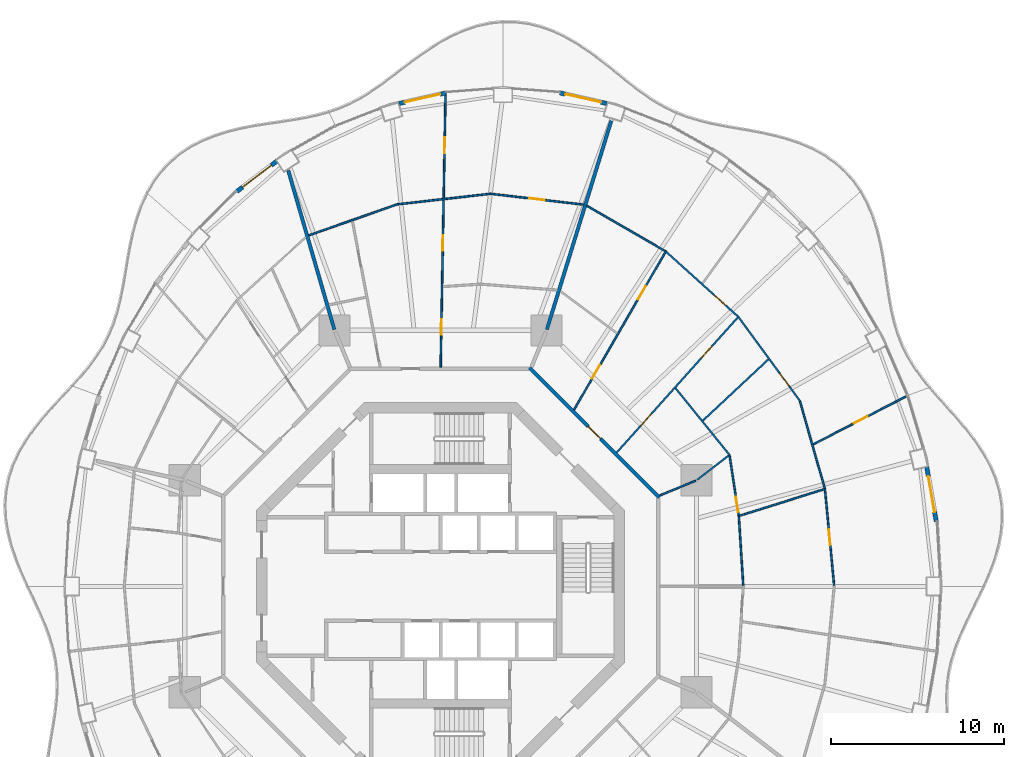
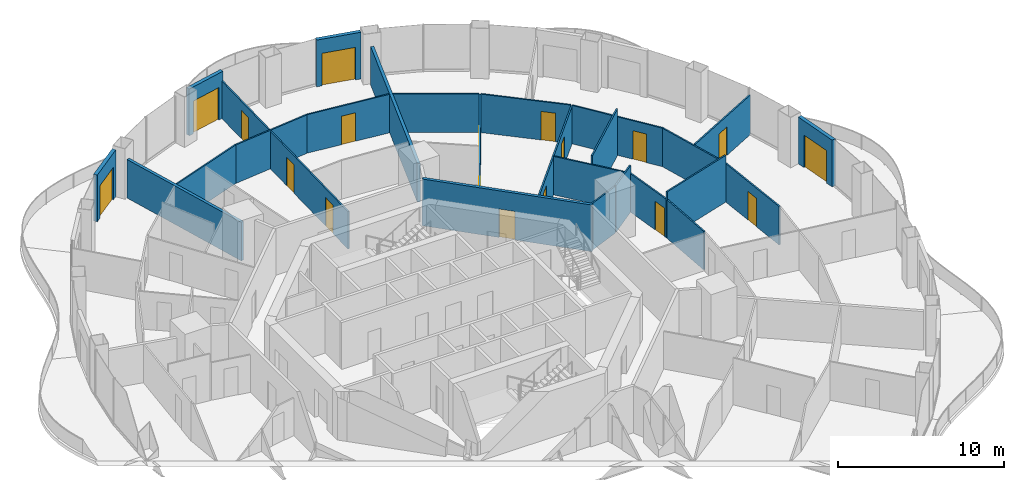
# One storey, part 15 of 19: 26 walls, 18 doors, 18 openings.
"""IFC4 building model written with IfcOpenShell, lengths in metres."""

from ifc_helpers import new_model, si_unit, direction, frame, frame_2d, origin, place, context, subcontext, project, spatial, rectangle, extrude, material, layer, layer_set, type_object, element, fill, save


model = new_model("IFC4")

# Units and contexts
model_context = context("Model", 3, precision=1e-05, world=origin(), true_north=direction((0.0, 1.0)))
body_context = subcontext(model_context, "Body", "Model", "MODEL_VIEW")
ifc_project = project(units=[si_unit("LENGTHUNIT", "METRE"), si_unit("AREAUNIT", "SQUARE_METRE"), si_unit("VOLUMEUNIT", "CUBIC_METRE"), si_unit("PLANEANGLEUNIT", "RADIAN"), si_unit("MASSUNIT", "GRAM", prefix="KILO")], contexts=[model_context])

# Site, building, storey
site_placement = place(None, origin())
site = spatial("IfcSite", under=ifc_project, at=site_placement, CompositionType="ELEMENT")
building_placement = place(site_placement, origin())
building = spatial("IfcBuilding", under=site, at=building_placement, Name="Nagisa Residences", CompositionType="ELEMENT")
storey_placement = place(building_placement, frame((0.0, 0.0, 188.10009765625)))
storey = spatial("IfcBuildingStorey", under=building, at=storey_placement, Name="L47", CompositionType="ELEMENT", Elevation=188.10009765625)

# Walls
ifc_material_1 = material(Name="Gypsum board on steel studs", Category="steel")
ifc_layer_1 = layer(ifc_material_1, 0.199951171875)
ifc_layer_set_1 = layer_set([ifc_layer_1], Name="Apartment compartment wall EI60 200")
wall_type_1 = type_object("IfcWallType", Name="Apartment compartment wall EI60 200", PredefinedType="PARTITIONING", material=ifc_layer_set_1)
wall_1_placement = place(storey_placement, frame((6.1376953125, 14.829833984375, 0.0), z_axis=(0.0, 0.0, 1.0), x_axis=(0.294818517221, 0.955553264818, 0.0)))
element("IfcWall", 1, at=wall_1_placement, inside=storey, type_object=wall_type_1, Name="wall:L47:u01", PredefinedType="PARTITIONING", context=body_context, shape_type="SweptSolid", body=[
    extrude(rectangle(XDim=12.619384765625, YDim=0.199951171875, at=frame_2d((6.3095703125, 0.0))), origin(), (0.0, 0.0, 1.0), 2.8369140625),
])
wall_2_placement = place(storey_placement, frame((-6.136962890625, 14.830078125, 0.0), z_axis=(0.0, 0.0, 1.0), x_axis=(-0.278461169897, 0.96044748782, 0.0)))
element("IfcWall", 2, at=wall_2_placement, inside=storey, type_object=wall_type_1, Name="wall:L47:u03", PredefinedType="PARTITIONING", context=body_context, shape_type="SweptSolid", body=[
    extrude(rectangle(XDim=9.5732421875, YDim=0.199951171875, at=frame_2d((4.78662109375, 0.0))), origin(), (0.0, 0.0, 1.0), 2.8369140625),
])

# Wall, opening, door
ifc_material_2 = material(Name="Gypsum board on steel studs", Category="steel")
ifc_layer_2 = layer(ifc_material_2, 0.199951171875)
ifc_layer_set_2 = layer_set([ifc_layer_2], Name="Apartment entry wall EI60 200")
wall_type_2 = type_object("IfcWallType", Name="Apartment entry wall EI60 200", PredefinedType="PARTITIONING", material=ifc_layer_set_2)
wall_3_placement = place(storey_placement, frame((12.635498046875, 5.1337890625, 0.0), z_axis=(0.0, 0.0, 1.0), x_axis=(-0.707106781187, 0.707106781187, 0.0)))
wall_3 = element("IfcWall", 3, at=wall_3_placement, inside=storey, type_object=wall_type_2, Name="wall:L47:u11", PredefinedType="PARTITIONING", context=body_context, shape_type="SweptSolid", body=[
    extrude(rectangle(XDim=10.609130859375, YDim=0.199951171875, at=frame_2d((5.3046875, 0.0))), origin(), (0.0, 0.0, 1.0), 3.43994140625),
])
opening_1_placement = place(wall_3_placement, frame((4.804443359375, 0.0, 0.0)))
opening_1 = element("IfcOpeningElement", 4, at=opening_1_placement, cuts=wall_3, Name="Opening L47-U33", PredefinedType="OPENING", context=body_context, shape_type="SweptSolid", body=[
    extrude(rectangle(XDim=1.0, YDim=2.10009765625, at=frame_2d((0.5, 1.050048828125))), frame((0.0, 0.10986328125, 0.0), z_axis=(0.0, -1.0, 0.0), x_axis=(1.0, 0.0, 0.0)), (0.0, 0.0, 1.0), 0.219970703125),
])
ifc_material_3 = material(Name="Timber fire door set", Category="wood")
door_type_1 = type_object("IfcDoorType", Name="Apartment entry door FD30S 1000x2100", OperationType="NOTDEFINED", PredefinedType="DOOR", material=ifc_material_3)
door_1_placement = place(opening_1_placement, frame((1.0, 0.0, 0.0), x_axis=(-1.0, 0.0, 0.0)))
door_1 = element("IfcDoor", 5, at=door_1_placement, inside=storey, type_object=door_type_1, Name="Entry door, Apartment 47D", OperationType="SINGLE_SWING_RIGHT", OverallHeight=2.10009765625, OverallWidth=1.0, PredefinedType="DOOR", context=body_context, shape_type="SweptSolid", body=[
    extrude(rectangle(XDim=1.0, YDim=2.10009765625, at=frame_2d((0.5, 1.050048828125))), frame((0.0, 0.02490234375, 0.0), z_axis=(0.0, -1.0, 0.0), x_axis=(1.0, 0.0, 0.0)), (0.0, 0.0, 1.0), 0.050048828125),
])
fill(opening_1, door_1)

# Wall
ifc_material_4 = material(Name="Gypsum board on steel studs", Category="steel")
ifc_layer_3 = layer(ifc_material_4, 0.10009765625)
ifc_layer_set_3 = layer_set([ifc_layer_3], Name="Apartment partition 100")
wall_type_3 = type_object("IfcWallType", Name="Apartment partition 100", PredefinedType="PARTITIONING", material=ifc_layer_set_3)
wall_4_placement = place(storey_placement, frame((17.484619140625, 0.0498046875, 0.0), z_axis=(0.0, 0.0, 1.0), x_axis=(-0.063679314345, 0.99797041285, 0.0)))
element("IfcWall", 6, at=wall_4_placement, inside=storey, type_object=wall_type_3, Name="wall:L47:u19", PredefinedType="PARTITIONING", context=body_context, shape_type="SweptSolid", body=[
    extrude(rectangle(XDim=3.971923828125, YDim=0.10009765625, at=frame_2d((1.98583984375, 0.0))), origin(), (0.0, 0.0, 1.0), 2.8369140625),
])

# Wall, opening, door
wall_5_placement = place(storey_placement, frame((22.734375, 0.0498046875, 0.0), z_axis=(0.0, 0.0, 1.0), x_axis=(-0.0949274088, 0.995484197292, 0.0)))
wall_5 = element("IfcWall", 7, at=wall_5_placement, inside=storey, type_object=wall_type_3, Name="wall:L47:u21", PredefinedType="PARTITIONING", context=body_context, shape_type="SweptSolid", body=[
    extrude(rectangle(XDim=5.647705078125, YDim=0.10009765625, at=frame_2d((2.82373046875, 0.0))), origin(), (0.0, 0.0, 1.0), 2.8369140625),
])
opening_2_placement = place(wall_5_placement, frame((2.348876953125, 0.0, 0.0)))
opening_2 = element("IfcOpeningElement", 8, at=opening_2_placement, cuts=wall_5, Name="Opening L47-U43", PredefinedType="OPENING", context=body_context, shape_type="SweptSolid", body=[
    extrude(rectangle(XDim=0.89990234375, YDim=2.10009765625, at=frame_2d((0.449951171875, 1.050048828125))), frame((0.0, 0.06005859375, 0.0), z_axis=(0.0, -1.0, 0.0), x_axis=(1.0, 0.0, 0.0)), (0.0, 0.0, 1.0), 0.1201171875),
])
ifc_material_5 = material(Name="Timber door set", Category="wood")
door_type_2 = type_object("IfcDoorType", Name="Apartment door 900x2100", OperationType="NOTDEFINED", PredefinedType="DOOR", material=ifc_material_5)
door_2_placement = place(opening_2_placement, origin())
door_2 = element("IfcDoor", 9, at=door_2_placement, inside=storey, type_object=door_type_2, Name="Door to study, Apartment 47D", OperationType="SINGLE_SWING_LEFT", OverallHeight=2.10009765625, OverallWidth=0.89990234375, PredefinedType="DOOR", context=body_context, shape_type="SweptSolid", body=[
    extrude(rectangle(XDim=0.89990234375, YDim=2.10009765625, at=frame_2d((0.449951171875, 1.050048828125))), frame((0.0, 0.02490234375, 0.0), z_axis=(0.0, -1.0, 0.0), x_axis=(1.0, 0.0, 0.0)), (0.0, 0.0, 1.0), 0.050048828125),
])
fill(opening_2, door_2)

# Wall
wall_6_placement = place(storey_placement, frame((17.1806640625, 4.048583984375, 0.0), z_axis=(0.0, 0.0, 1.0), x_axis=(0.954246359918, 0.299021545351, 0.0)))
element("IfcWall", 10, at=wall_6_placement, inside=storey, type_object=wall_type_3, Name="wall:L47:u23", PredefinedType="PARTITIONING", context=body_context, shape_type="SweptSolid", body=[
    extrude(rectangle(XDim=5.213134765625, YDim=0.10009765625, at=frame_2d((2.6064453125, 0.0))), origin(), (0.0, 0.0, 1.0), 3.43994140625),
])

# Wall, opening, door
wall_7_placement = place(storey_placement, frame((17.220947265625, 4.113037109375, 0.0), z_axis=(0.0, 0.0, 1.0), x_axis=(-0.151078880423, 0.988521710379, 0.0)))
wall_7 = element("IfcWall", 11, at=wall_7_placement, inside=storey, type_object=wall_type_3, Name="wall:L47:u24", PredefinedType="PARTITIONING", context=body_context, shape_type="SweptSolid", body=[
    extrude(rectangle(XDim=3.469482421875, YDim=0.10009765625, at=frame_2d((1.73486328125, 0.0))), origin(), (0.0, 0.0, 1.0), 2.8369140625),
])
opening_3_placement = place(wall_7_placement, frame((0.179931640625, 0.0, 0.0)))
opening_3 = element("IfcOpeningElement", 12, at=opening_3_placement, cuts=wall_7, Name="Opening L47-U42", PredefinedType="OPENING", context=body_context, shape_type="SweptSolid", body=[
    extrude(rectangle(XDim=0.89990234375, YDim=2.10009765625, at=frame_2d((0.449951171875, 1.050048828125))), frame((0.0, 0.06005859375, 0.0), z_axis=(0.0, -1.0, 0.0), x_axis=(1.0, 0.0, 0.0)), (0.0, 0.0, 1.0), 0.1201171875),
])
door_3_placement = place(opening_3_placement, origin())
door_3 = element("IfcDoor", 13, at=door_3_placement, inside=storey, type_object=door_type_2, Name="Door to store, Apartment 47D", OperationType="SINGLE_SWING_RIGHT", OverallHeight=2.10009765625, OverallWidth=0.89990234375, PredefinedType="DOOR", context=body_context, shape_type="SweptSolid", body=[
    extrude(rectangle(XDim=0.89990234375, YDim=2.10009765625, at=frame_2d((0.449951171875, 1.050048828125))), frame((0.0, 0.02490234375, 0.0), z_axis=(0.0, -1.0, 0.0), x_axis=(1.0, 0.0, 0.0)), (0.0, 0.0, 1.0), 0.050048828125),
])
fill(opening_3, door_3)

# Wall
wall_8_placement = place(storey_placement, frame((22.189453125, 5.67041015625, 0.0), z_axis=(0.0, 0.0, 1.0), x_axis=(-0.273815967041, 0.961782104322, 0.0)))
element("IfcWall", 14, at=wall_8_placement, inside=storey, type_object=wall_type_3, Name="wall:L47:u25", PredefinedType="PARTITIONING", context=body_context, shape_type="SweptSolid", body=[
    extrude(rectangle(XDim=5.20166015625, YDim=0.10009765625, at=frame_2d((2.600830078125, 0.0))), origin(), (0.0, 0.0, 1.0), 2.8369140625),
])

# Wall, opening, door
wall_9_placement = place(storey_placement, frame((21.521728515625, 8.19482421875, 0.0), z_axis=(0.0, 0.0, 1.0), x_axis=(0.888281046031, 0.459300319249, 0.0)))
wall_9 = element("IfcWall", 15, at=wall_9_placement, inside=storey, type_object=wall_type_3, Name="wall:L47:u26", PredefinedType="PARTITIONING", context=body_context, shape_type="SweptSolid", body=[
    extrude(rectangle(XDim=6.176025390625, YDim=0.10009765625, at=frame_2d((3.087890625, 0.0))), origin(), (0.0, 0.0, 1.0), 2.90478515625),
])
opening_4_placement = place(wall_9_placement, frame((2.63818359375, 0.0, 0.0)))
opening_4 = element("IfcOpeningElement", 16, at=opening_4_placement, cuts=wall_9, Name="Opening L47-U41", PredefinedType="OPENING", context=body_context, shape_type="SweptSolid", body=[
    extrude(rectangle(XDim=0.89990234375, YDim=2.10009765625, at=frame_2d((0.449951171875, 1.050048828125))), frame((0.0, 0.06005859375, 0.0), z_axis=(0.0, -1.0, 0.0), x_axis=(1.0, 0.0, 0.0)), (0.0, 0.0, 1.0), 0.1201171875),
])
door_4_placement = place(opening_4_placement, frame((0.89990234375, 0.0, 0.0), x_axis=(-1.0, 0.0, 0.0)))
door_4 = element("IfcDoor", 17, at=door_4_placement, inside=storey, type_object=door_type_2, Name="Door to family room, Apartment 47D", OperationType="SINGLE_SWING_RIGHT", OverallHeight=2.10009765625, OverallWidth=0.89990234375, PredefinedType="DOOR", context=body_context, shape_type="SweptSolid", body=[
    extrude(rectangle(XDim=0.89990234375, YDim=2.10009765625, at=frame_2d((0.449951171875, 1.050048828125))), frame((0.0, 0.02490234375, 0.0), z_axis=(0.0, -1.0, 0.0), x_axis=(1.0, 0.0, 0.0)), (0.0, 0.0, 1.0), 0.050048828125),
])
fill(opening_4, door_4)

# Walls
wall_10_placement = place(storey_placement, frame((12.6572265625, 5.24267578125, 0.0), z_axis=(0.0, 0.0, 1.0), x_axis=(0.923826362943, 0.382811769845, 0.0)))
element("IfcWall", 18, at=wall_10_placement, inside=storey, type_object=wall_type_3, Name="wall:L47:u27", PredefinedType="PARTITIONING", context=body_context, shape_type="SweptSolid", body=[
    extrude(rectangle(XDim=2.25, YDim=0.10009765625, at=frame_2d((1.125, 0.0))), origin(), (0.0, 0.0, 1.0), 3.43994140625),
])
wall_11_placement = place(storey_placement, frame((14.82177734375, 6.153564453125, 0.0), z_axis=(0.0, 0.0, 1.0), x_axis=(0.792226528082, 0.610227111987, 0.0)))
element("IfcWall", 19, at=wall_11_placement, inside=storey, type_object=wall_type_3, Name="wall:L47:u28", PredefinedType="PARTITIONING", context=body_context, shape_type="SweptSolid", body=[
    extrude(rectangle(XDim=2.307373046875, YDim=0.10009765625, at=frame_2d((1.15380859375, 0.0))), origin(), (0.0, 0.0, 1.0), 3.43994140625),
])
wall_12_placement = place(storey_placement, frame((16.720703125, 7.55322265625, 0.0), z_axis=(0.0, 0.0, 1.0), x_axis=(-0.628753513808, 0.777604667472, 0.0)))
element("IfcWall", 20, at=wall_12_placement, inside=storey, type_object=wall_type_3, Name="wall:L47:u29", PredefinedType="PARTITIONING", context=body_context, shape_type="SweptSolid", body=[
    extrude(rectangle(XDim=5.00732421875, YDim=0.10009765625, at=frame_2d((2.503662109375, 0.0))), origin(), (0.0, 0.0, 1.0), 2.8369140625),
])

# Wall, opening, door
wall_13_placement = place(storey_placement, frame((20.781005859375, 10.68115234375, 0.0), z_axis=(0.0, 0.0, 1.0), x_axis=(-0.591117075283, 0.806585769345, 0.0)))
wall_13 = element("IfcWall", 21, at=wall_13_placement, inside=storey, type_object=wall_type_3, Name="wall:L47:u30", PredefinedType="PARTITIONING", context=body_context, shape_type="SweptSolid", body=[
    extrude(rectangle(XDim=6.009765625, YDim=0.10009765625, at=frame_2d((3.0048828125, 0.0))), origin(), (0.0, 0.0, 1.0), 2.8369140625),
])
opening_5_placement = place(wall_13_placement, frame((1.1025390625, 0.0, 0.0)))
opening_5 = element("IfcOpeningElement", 22, at=opening_5_placement, cuts=wall_13, Name="Opening L47-U40", PredefinedType="OPENING", context=body_context, shape_type="SweptSolid", body=[
    extrude(rectangle(XDim=0.89990234375, YDim=2.10009765625, at=frame_2d((0.449951171875, 1.050048828125))), frame((0.0, 0.06005859375, 0.0), z_axis=(0.0, -1.0, 0.0), x_axis=(1.0, 0.0, 0.0)), (0.0, 0.0, 1.0), 0.1201171875),
])
door_5_placement = place(opening_5_placement, origin())
door_5 = element("IfcDoor", 23, at=door_5_placement, inside=storey, type_object=door_type_2, Name="Door to kitchen, Apartment 47D", OperationType="SINGLE_SWING_RIGHT", OverallHeight=2.10009765625, OverallWidth=0.89990234375, PredefinedType="DOOR", context=body_context, shape_type="SweptSolid", body=[
    extrude(rectangle(XDim=0.89990234375, YDim=2.10009765625, at=frame_2d((0.449951171875, 1.050048828125))), frame((0.0, 0.02490234375, 0.0), z_axis=(0.0, -1.0, 0.0), x_axis=(1.0, 0.0, 0.0)), (0.0, 0.0, 1.0), 0.050048828125),
])
fill(opening_5, door_5)

# Wall
wall_14_placement = place(storey_placement, frame((15.151611328125, 9.572998046875, 0.0), z_axis=(0.0, 0.0, 1.0), x_axis=(0.730723083214, 0.682673989294, 0.0)))
element("IfcWall", 24, at=wall_14_placement, inside=storey, type_object=wall_type_3, Name="wall:L47:u31", PredefinedType="PARTITIONING", context=body_context, shape_type="SweptSolid", body=[
    extrude(rectangle(XDim=5.1826171875, YDim=0.10009765625, at=frame_2d((2.59130859375, 0.0))), origin(), (0.0, 0.0, 1.0), 3.43994140625),
])

# Wall, openings, doors
wall_15_placement = place(storey_placement, frame((10.177978515625, 7.732421875, 0.0), z_axis=(0.0, 0.0, 1.0), x_axis=(0.667280084362, 0.744806880348, 0.0)))
wall_15 = element("IfcWall", 25, at=wall_15_placement, inside=storey, type_object=wall_type_3, Name="wall:L47:u32", PredefinedType="PARTITIONING", context=body_context, shape_type="SweptSolid", body=[
    extrude(rectangle(XDim=10.571533203125, YDim=0.10009765625, at=frame_2d((5.28564453125, 0.0))), origin(), (0.0, 0.0, 1.0), 2.755859375),
])
opening_6_placement = place(wall_15_placement, frame((2.069580078125, 0.0, 0.0)))
opening_6 = element("IfcOpeningElement", 26, at=opening_6_placement, cuts=wall_15, Name="Opening L47-U34", PredefinedType="OPENING", context=body_context, shape_type="SweptSolid", body=[
    extrude(rectangle(XDim=0.89990234375, YDim=2.10009765625, at=frame_2d((0.449951171875, 1.050048828125))), frame((0.0, 0.06005859375, 0.0), z_axis=(0.0, -1.0, 0.0), x_axis=(1.0, 0.0, 0.0)), (0.0, 0.0, 1.0), 0.1201171875),
])
opening_7_placement = place(wall_15_placement, frame((7.33056640625, 0.0, 0.0)))
opening_7 = element("IfcOpeningElement", 27, at=opening_7_placement, cuts=wall_15, Name="Opening L47-U36", PredefinedType="OPENING", context=body_context, shape_type="SweptSolid", body=[
    extrude(rectangle(XDim=0.89990234375, YDim=2.10009765625, at=frame_2d((0.449951171875, 1.050048828125))), frame((0.0, 0.06005859375, 0.0), z_axis=(0.0, -1.0, 0.0), x_axis=(1.0, 0.0, 0.0)), (0.0, 0.0, 1.0), 0.1201171875),
])
door_6_placement = place(opening_6_placement, frame((0.89990234375, 0.0, 0.0), x_axis=(-1.0, 0.0, 0.0)))
door_6 = element("IfcDoor", 28, at=door_6_placement, inside=storey, type_object=door_type_2, Name="Door to family bathroom, Apartment 47D", OperationType="SINGLE_SWING_LEFT", OverallHeight=2.10009765625, OverallWidth=0.89990234375, PredefinedType="DOOR", context=body_context, shape_type="SweptSolid", body=[
    extrude(rectangle(XDim=0.89990234375, YDim=2.10009765625, at=frame_2d((0.449951171875, 1.050048828125))), frame((0.0, 0.02490234375, 0.0), z_axis=(0.0, -1.0, 0.0), x_axis=(1.0, 0.0, 0.0)), (0.0, 0.0, 1.0), 0.050048828125),
])
fill(opening_6, door_6)
door_7_placement = place(opening_7_placement, frame((0.89990234375, 0.0, 0.0), x_axis=(-1.0, 0.0, 0.0)))
door_7 = element("IfcDoor", 29, at=door_7_placement, inside=storey, type_object=door_type_2, Name="Door to family bathroom, Apartment 47D", OperationType="SINGLE_SWING_LEFT", OverallHeight=2.10009765625, OverallWidth=0.89990234375, PredefinedType="DOOR", context=body_context, shape_type="SweptSolid", body=[
    extrude(rectangle(XDim=0.89990234375, YDim=2.10009765625, at=frame_2d((0.449951171875, 1.050048828125))), frame((0.0, 0.02490234375, 0.0), z_axis=(0.0, -1.0, 0.0), x_axis=(1.0, 0.0, 0.0)), (0.0, 0.0, 1.0), 0.050048828125),
])
fill(opening_7, door_7)

# Wall, opening, door
wall_16_placement = place(storey_placement, frame((17.16162109375, 15.6025390625, 0.0), z_axis=(0.0, 0.0, 1.0), x_axis=(-0.742790086539, 0.66952437397, 0.0)))
wall_16 = element("IfcWall", 30, at=wall_16_placement, inside=storey, type_object=wall_type_3, Name="wall:L47:u33", PredefinedType="PARTITIONING", context=body_context, shape_type="SweptSolid", body=[
    extrude(rectangle(XDim=5.54150390625, YDim=0.10009765625, at=frame_2d((2.770751953125, 0.0))), origin(), (0.0, 0.0, 1.0), 2.8369140625),
])
opening_8_placement = place(wall_16_placement, frame((0.935302734375, 0.0, 0.0)))
opening_8 = element("IfcOpeningElement", 31, at=opening_8_placement, cuts=wall_16, Name="Opening L47-U38", PredefinedType="OPENING", context=body_context, shape_type="SweptSolid", body=[
    extrude(rectangle(XDim=0.89990234375, YDim=2.10009765625, at=frame_2d((0.449951171875, 1.050048828125))), frame((0.0, 0.06005859375, 0.0), z_axis=(0.0, -1.0, 0.0), x_axis=(1.0, 0.0, 0.0)), (0.0, 0.0, 1.0), 0.1201171875),
])
door_8_placement = place(opening_8_placement, frame((0.89990234375, 0.0, 0.0), x_axis=(-1.0, 0.0, 0.0)))
door_8 = element("IfcDoor", 32, at=door_8_placement, inside=storey, type_object=door_type_2, Name="Door to living room, Apartment 47D", OperationType="SINGLE_SWING_LEFT", OverallHeight=2.10009765625, OverallWidth=0.89990234375, PredefinedType="DOOR", context=body_context, shape_type="SweptSolid", body=[
    extrude(rectangle(XDim=0.89990234375, YDim=2.10009765625, at=frame_2d((0.449951171875, 1.050048828125))), frame((0.0, 0.02490234375, 0.0), z_axis=(0.0, -1.0, 0.0), x_axis=(1.0, 0.0, 0.0)), (0.0, 0.0, 1.0), 0.050048828125),
])
fill(opening_8, door_8)

# Wall, openings, doors
wall_17_placement = place(storey_placement, frame((7.7080078125, 10.19775390625, 0.0), z_axis=(0.0, 0.0, 1.0), x_axis=(0.501288100085, 0.865280440501, 0.0)))
wall_17 = element("IfcWall", 33, at=wall_17_placement, inside=storey, type_object=wall_type_3, Name="wall:L47:u35", PredefinedType="PARTITIONING", context=body_context, shape_type="SweptSolid", body=[
    extrude(rectangle(XDim=10.623046875, YDim=0.10009765625, at=frame_2d((5.3115234375, 0.0))), origin(), (0.0, 0.0, 1.0), 2.755859375),
])
opening_9_placement = place(wall_17_placement, frame((2.082275390625, 0.0, 0.0)))
opening_9 = element("IfcOpeningElement", 34, at=opening_9_placement, cuts=wall_17, Name="Opening L47-U35", PredefinedType="OPENING", context=body_context, shape_type="SweptSolid", body=[
    extrude(rectangle(XDim=0.89990234375, YDim=2.10009765625, at=frame_2d((0.449951171875, 1.050048828125))), frame((0.0, 0.06005859375, 0.0), z_axis=(0.0, -1.0, 0.0), x_axis=(1.0, 0.0, 0.0)), (0.0, 0.0, 1.0), 0.1201171875),
])
opening_10_placement = place(wall_17_placement, frame((7.36865234375, 0.0, 0.0)))
opening_10 = element("IfcOpeningElement", 35, at=opening_10_placement, cuts=wall_17, Name="Opening L47-U37", PredefinedType="OPENING", context=body_context, shape_type="SweptSolid", body=[
    extrude(rectangle(XDim=0.89990234375, YDim=2.10009765625, at=frame_2d((0.449951171875, 1.050048828125))), frame((0.0, 0.06005859375, 0.0), z_axis=(0.0, -1.0, 0.0), x_axis=(1.0, 0.0, 0.0)), (0.0, 0.0, 1.0), 0.1201171875),
])
door_9_placement = place(opening_9_placement, origin())
door_9 = element("IfcDoor", 36, at=door_9_placement, inside=storey, type_object=door_type_2, Name="Door to laundry, Apartment 47D", OperationType="SINGLE_SWING_LEFT", OverallHeight=2.10009765625, OverallWidth=0.89990234375, PredefinedType="DOOR", context=body_context, shape_type="SweptSolid", body=[
    extrude(rectangle(XDim=0.89990234375, YDim=2.10009765625, at=frame_2d((0.449951171875, 1.050048828125))), frame((0.0, 0.02490234375, 0.0), z_axis=(0.0, -1.0, 0.0), x_axis=(1.0, 0.0, 0.0)), (0.0, 0.0, 1.0), 0.050048828125),
])
fill(opening_9, door_9)
door_10_placement = place(opening_10_placement, origin())
door_10 = element("IfcDoor", 37, at=door_10_placement, inside=storey, type_object=door_type_2, Name="Door to kitchen, Apartment 47D", OperationType="SINGLE_SWING_LEFT", OverallHeight=2.10009765625, OverallWidth=0.89990234375, PredefinedType="DOOR", context=body_context, shape_type="SweptSolid", body=[
    extrude(rectangle(XDim=0.89990234375, YDim=2.10009765625, at=frame_2d((0.449951171875, 1.050048828125))), frame((0.0, 0.02490234375, 0.0), z_axis=(0.0, -1.0, 0.0), x_axis=(1.0, 0.0, 0.0)), (0.0, 0.0, 1.0), 0.050048828125),
])
fill(opening_10, door_10)

# Wall
wall_18_placement = place(storey_placement, frame((12.965087890625, 19.371337890625, 0.0), z_axis=(0.0, 0.0, 1.0), x_axis=(-0.865286427811, 0.501277765163, 0.0)))
element("IfcWall", 38, at=wall_18_placement, inside=storey, type_object=wall_type_3, Name="wall:L47:u37", PredefinedType="PARTITIONING", context=body_context, shape_type="SweptSolid", body=[
    extrude(rectangle(XDim=5.219970703125, YDim=0.10009765625, at=frame_2d((2.60986328125, 0.0))), origin(), (0.0, 0.0, 1.0), 2.8369140625),
])

# Wall, opening, door
wall_19_placement = place(storey_placement, frame((8.262451171875, 22.0498046875, 0.0), z_axis=(0.0, 0.0, 1.0), x_axis=(-0.993250089265, 0.115992500516, 0.0)))
wall_19 = element("IfcWall", 39, at=wall_19_placement, inside=storey, type_object=wall_type_3, Name="wall:L47:u39", PredefinedType="PARTITIONING", context=body_context, shape_type="SweptSolid", body=[
    extrude(rectangle(XDim=5.457763671875, YDim=0.10009765625, at=frame_2d((2.72900390625, 0.0))), origin(), (0.0, 0.0, 1.0), 2.8369140625),
])
opening_11_placement = place(wall_19_placement, frame((2.25390625, 0.0, 0.0)))
opening_11 = element("IfcOpeningElement", 40, at=opening_11_placement, cuts=wall_19, Name="Opening L47-U52", PredefinedType="OPENING", context=body_context, shape_type="SweptSolid", body=[
    extrude(rectangle(XDim=0.89990234375, YDim=2.10009765625, at=frame_2d((0.449951171875, 1.050048828125))), frame((0.0, 0.06005859375, 0.0), z_axis=(0.0, -1.0, 0.0), x_axis=(1.0, 0.0, 0.0)), (0.0, 0.0, 1.0), 0.1201171875),
])
door_11_placement = place(opening_11_placement, frame((0.89990234375, 0.0, 0.0), x_axis=(-1.0, 0.0, 0.0)))
door_11 = element("IfcDoor", 41, at=door_11_placement, inside=storey, type_object=door_type_2, Name="Door to family room, Apartment 47E", OperationType="SINGLE_SWING_LEFT", OverallHeight=2.10009765625, OverallWidth=0.89990234375, PredefinedType="DOOR", context=body_context, shape_type="SweptSolid", body=[
    extrude(rectangle(XDim=0.89990234375, YDim=2.10009765625, at=frame_2d((0.449951171875, 1.050048828125))), frame((0.0, 0.02490234375, 0.0), z_axis=(0.0, -1.0, 0.0), x_axis=(1.0, 0.0, 0.0)), (0.0, 0.0, 1.0), 0.050048828125),
])
fill(opening_11, door_11)

# Wall
wall_20_placement = place(storey_placement, frame((2.841552734375, 22.67138671875, 0.0), z_axis=(0.0, 0.0, 1.0), x_axis=(-0.993660315081, -0.112424099879, 0.0)))
element("IfcWall", 42, at=wall_20_placement, inside=storey, type_object=wall_type_3, Name="wall:L47:u41", PredefinedType="PARTITIONING", context=body_context, shape_type="SweptSolid", body=[
    extrude(rectangle(XDim=5.32470703125, YDim=0.10009765625, at=frame_2d((2.662353515625, 0.0))), origin(), (0.0, 0.0, 1.0), 2.8369140625),
])

# Wall, openings, doors
wall_21_placement = place(storey_placement, frame((0.001708984375, 12.664794921875, 0.0), z_axis=(0.0, 0.0, 1.0), x_axis=(0.01792079652, 0.999839409631, 0.0)))
wall_21 = element("IfcWall", 43, at=wall_21_placement, inside=storey, type_object=wall_type_3, Name="wall:L47:u42", PredefinedType="PARTITIONING", context=body_context, shape_type="SweptSolid", body=[
    extrude(rectangle(XDim=15.925537109375, YDim=0.10009765625, at=frame_2d((7.962890625, 0.0))), origin(), (0.0, 0.0, 1.0), 2.755859375),
])
opening_12_placement = place(wall_21_placement, frame((1.873291015625, 0.0, 0.0)))
opening_12 = element("IfcOpeningElement", 44, at=opening_12_placement, cuts=wall_21, Name="Opening L47-U48", PredefinedType="OPENING", context=body_context, shape_type="SweptSolid", body=[
    extrude(rectangle(XDim=0.89990234375, YDim=2.10009765625, at=frame_2d((0.449951171875, 1.050048828125))), frame((0.0, 0.06005859375, 0.0), z_axis=(0.0, -1.0, 0.0), x_axis=(1.0, 0.0, 0.0)), (0.0, 0.0, 1.0), 0.1201171875),
])
opening_13_placement = place(wall_21_placement, frame((6.727783203125, 0.0, 0.0)))
opening_13 = element("IfcOpeningElement", 45, at=opening_13_placement, cuts=wall_21, Name="Opening L47-U50", PredefinedType="OPENING", context=body_context, shape_type="SweptSolid", body=[
    extrude(rectangle(XDim=0.89990234375, YDim=2.10009765625, at=frame_2d((0.449951171875, 1.050048828125))), frame((0.0, 0.06005859375, 0.0), z_axis=(0.0, -1.0, 0.0), x_axis=(1.0, 0.0, 0.0)), (0.0, 0.0, 1.0), 0.1201171875),
])
opening_14_placement = place(wall_21_placement, frame((12.367431640625, 0.0, 0.0)))
opening_14 = element("IfcOpeningElement", 46, at=opening_14_placement, cuts=wall_21, Name="Opening L47-U53", PredefinedType="OPENING", context=body_context, shape_type="SweptSolid", body=[
    extrude(rectangle(XDim=0.89990234375, YDim=2.10009765625, at=frame_2d((0.449951171875, 1.050048828125))), frame((0.0, 0.06005859375, 0.0), z_axis=(0.0, -1.0, 0.0), x_axis=(1.0, 0.0, 0.0)), (0.0, 0.0, 1.0), 0.1201171875),
])
door_12_placement = place(opening_12_placement, frame((0.89990234375, 0.0, 0.0), x_axis=(-1.0, 0.0, 0.0)))
door_12 = element("IfcDoor", 47, at=door_12_placement, inside=storey, type_object=door_type_2, Name="Door to store, Apartment 47E", OperationType="SINGLE_SWING_LEFT", OverallHeight=2.10009765625, OverallWidth=0.89990234375, PredefinedType="DOOR", context=body_context, shape_type="SweptSolid", body=[
    extrude(rectangle(XDim=0.89990234375, YDim=2.10009765625, at=frame_2d((0.449951171875, 1.050048828125))), frame((0.0, 0.02490234375, 0.0), z_axis=(0.0, -1.0, 0.0), x_axis=(1.0, 0.0, 0.0)), (0.0, 0.0, 1.0), 0.050048828125),
])
fill(opening_12, door_12)
door_13_placement = place(opening_13_placement, frame((0.89990234375, 0.0, 0.0), x_axis=(-1.0, 0.0, 0.0)))
door_13 = element("IfcDoor", 48, at=door_13_placement, inside=storey, type_object=door_type_2, Name="Door to kitchen, Apartment 47E", OperationType="SINGLE_SWING_LEFT", OverallHeight=2.10009765625, OverallWidth=0.89990234375, PredefinedType="DOOR", context=body_context, shape_type="SweptSolid", body=[
    extrude(rectangle(XDim=0.89990234375, YDim=2.10009765625, at=frame_2d((0.449951171875, 1.050048828125))), frame((0.0, 0.02490234375, 0.0), z_axis=(0.0, -1.0, 0.0), x_axis=(1.0, 0.0, 0.0)), (0.0, 0.0, 1.0), 0.050048828125),
])
fill(opening_13, door_13)
door_14_placement = place(opening_14_placement, origin())
door_14 = element("IfcDoor", 49, at=door_14_placement, inside=storey, type_object=door_type_2, Name="Door to master bedroom, Apartment 47E", OperationType="SINGLE_SWING_LEFT", OverallHeight=2.10009765625, OverallWidth=0.89990234375, PredefinedType="DOOR", context=body_context, shape_type="SweptSolid", body=[
    extrude(rectangle(XDim=0.89990234375, YDim=2.10009765625, at=frame_2d((0.449951171875, 1.050048828125))), frame((0.0, 0.02490234375, 0.0), z_axis=(0.0, -1.0, 0.0), x_axis=(1.0, 0.0, 0.0)), (0.0, 0.0, 1.0), 0.050048828125),
])
fill(opening_14, door_14)

# Wall
wall_22_placement = place(storey_placement, frame((-2.451904296875, 22.08349609375, 0.0), z_axis=(0.0, 0.0, 1.0), x_axis=(-0.943918212431, -0.330179357684, 0.0)))
element("IfcWall", 50, at=wall_22_placement, inside=storey, type_object=wall_type_3, Name="wall:L47:u43", PredefinedType="PARTITIONING", context=body_context, shape_type="SweptSolid", body=[
    extrude(rectangle(XDim=5.46728515625, YDim=0.10009765625, at=frame_2d((2.733642578125, 0.0))), origin(), (0.0, 0.0, 1.0), 2.8369140625),
])

# Wall, opening, door
ifc_material_6 = material(Name="Precast concrete C40/50", Category="concrete")
ifc_layer_4 = layer(ifc_material_6, 0.25)
ifc_layer_set_4 = layer_set([ifc_layer_4], Name="BALCONY DOOR WALL 250")
wall_type_4 = type_object("IfcWallType", Name="BALCONY DOOR WALL 250", PredefinedType="SOLIDWALL", material=ifc_layer_set_4)
wall_23_placement = place(storey_placement, frame((28.08203125, 6.91015625, 0.0), z_axis=(0.0, 0.0, 1.0), x_axis=(0.172149769468, -0.985070787747, 0.0)))
wall_23 = element("IfcWall", 51, at=wall_23_placement, inside=storey, type_object=wall_type_4, Name="wall:L47:bay01", PredefinedType="SOLIDWALL", context=body_context, shape_type="SweptSolid", body=[
    extrude(rectangle(XDim=3.210693359375, YDim=0.25, at=frame_2d((1.60546875, 0.0))), origin(), (0.0, 0.0, 1.0), 3.43994140625),
])
opening_15_placement = place(wall_23_placement, frame((0.555419921875, 0.0, 0.0)))
opening_15 = element("IfcOpeningElement", 52, at=opening_15_placement, cuts=wall_23, Name="Opening BD-L47-01", PredefinedType="OPENING", context=body_context, shape_type="SweptSolid", body=[
    extrude(rectangle(XDim=2.10009765625, YDim=2.39990234375, at=frame_2d((1.050048828125, 1.199951171875))), frame((0.0, 0.135009765625, 0.0), z_axis=(0.0, -1.0, 0.0), x_axis=(1.0, 0.0, 0.0)), (0.0, 0.0, 1.0), 0.27001953125),
])
ifc_material_7 = material(Name="Aluminium and clear glass", Category="aluminium")
door_type_3 = type_object("IfcDoorType", Name="BALCONY SLIDING DOOR 2100x2400", OperationType="SLIDING_TO_LEFT", PredefinedType="DOOR", material=ifc_material_7)
door_15_placement = place(opening_15_placement, origin())
door_15 = element("IfcDoor", 53, at=door_15_placement, inside=storey, type_object=door_type_3, Name="door:L47:bay01", OperationType="SLIDING_TO_LEFT", OverallHeight=2.39990234375, OverallWidth=2.10009765625, PredefinedType="DOOR", context=body_context, shape_type="SweptSolid", body=[
    extrude(rectangle(XDim=2.10009765625, YDim=2.39990234375, at=frame_2d((1.050048828125, 1.199951171875))), frame((0.0, 0.02490234375, 0.0), z_axis=(0.0, -1.0, 0.0), x_axis=(1.0, 0.0, 0.0)), (0.0, 0.0, 1.0), 0.050048828125),
])
fill(opening_15, door_15)

wall_24_placement = place(storey_placement, frame((6.884521484375, 28.506103515625, 0.0), z_axis=(0.0, 0.0, 1.0), x_axis=(0.975324329911, -0.220776926974, 0.0)))
wall_24 = element("IfcWall", 54, at=wall_24_placement, inside=storey, type_object=wall_type_4, Name="wall:L47:bay10", PredefinedType="SOLIDWALL", context=body_context, shape_type="SweptSolid", body=[
    extrude(rectangle(XDim=2.787841796875, YDim=0.25, at=frame_2d((1.39404296875, 0.0))), origin(), (0.0, 0.0, 1.0), 3.43994140625),
])
opening_16_placement = place(wall_24_placement, frame((0.343994140625, 0.0, 0.0)))
opening_16 = element("IfcOpeningElement", 55, at=opening_16_placement, cuts=wall_24, Name="Opening BD-L47-04", PredefinedType="OPENING", context=body_context, shape_type="SweptSolid", body=[
    extrude(rectangle(XDim=2.10009765625, YDim=2.39990234375, at=frame_2d((1.050048828125, 1.199951171875))), frame((0.0, 0.135009765625, 0.0), z_axis=(0.0, -1.0, 0.0), x_axis=(1.0, 0.0, 0.0)), (0.0, 0.0, 1.0), 0.27001953125),
])
door_16_placement = place(opening_16_placement, origin())
door_16 = element("IfcDoor", 56, at=door_16_placement, inside=storey, type_object=door_type_3, Name="door:L47:bay10", OperationType="SLIDING_TO_LEFT", OverallHeight=2.39990234375, OverallWidth=2.10009765625, PredefinedType="DOOR", context=body_context, shape_type="SweptSolid", body=[
    extrude(rectangle(XDim=2.10009765625, YDim=2.39990234375, at=frame_2d((1.050048828125, 1.199951171875))), frame((0.0, 0.02490234375, 0.0), z_axis=(0.0, -1.0, 0.0), x_axis=(1.0, 0.0, 0.0)), (0.0, 0.0, 1.0), 0.050048828125),
])
fill(opening_16, door_16)

wall_25_placement = place(storey_placement, frame((-2.403564453125, 27.890625, 0.0), z_axis=(0.0, 0.0, 1.0), x_axis=(0.975324329911, 0.220776926974, 0.0)))
wall_25 = element("IfcWall", 57, at=wall_25_placement, inside=storey, type_object=wall_type_4, Name="wall:L47:bay13", PredefinedType="SOLIDWALL", context=body_context, shape_type="SweptSolid", body=[
    extrude(rectangle(XDim=2.787841796875, YDim=0.25, at=frame_2d((1.39404296875, 0.0))), origin(), (0.0, 0.0, 1.0), 3.43994140625),
])
opening_17_placement = place(wall_25_placement, frame((0.343994140625, 0.0, 0.0)))
opening_17 = element("IfcOpeningElement", 58, at=opening_17_placement, cuts=wall_25, Name="Opening BD-L47-05", PredefinedType="OPENING", context=body_context, shape_type="SweptSolid", body=[
    extrude(rectangle(XDim=2.10009765625, YDim=2.39990234375, at=frame_2d((1.050048828125, 1.199951171875))), frame((0.0, 0.135009765625, 0.0), z_axis=(0.0, -1.0, 0.0), x_axis=(1.0, 0.0, 0.0)), (0.0, 0.0, 1.0), 0.27001953125),
])
door_17_placement = place(opening_17_placement, origin())
door_17 = element("IfcDoor", 59, at=door_17_placement, inside=storey, type_object=door_type_3, Name="door:L47:bay13", OperationType="SLIDING_TO_LEFT", OverallHeight=2.39990234375, OverallWidth=2.10009765625, PredefinedType="DOOR", context=body_context, shape_type="SweptSolid", body=[
    extrude(rectangle(XDim=2.10009765625, YDim=2.39990234375, at=frame_2d((1.050048828125, 1.199951171875))), frame((0.0, 0.02490234375, 0.0), z_axis=(0.0, -1.0, 0.0), x_axis=(1.0, 0.0, 0.0)), (0.0, 0.0, 1.0), 0.050048828125),
])
fill(opening_17, door_17)

wall_26_placement = place(storey_placement, frame((-11.771728515625, 22.80859375, 0.0), z_axis=(0.0, 0.0, 1.0), x_axis=(0.796055733703, 0.60522332146, 0.0)))
wall_26 = element("IfcWall", 60, at=wall_26_placement, inside=storey, type_object=wall_type_4, Name="wall:L47:bay16", PredefinedType="SOLIDWALL", context=body_context, shape_type="SweptSolid", body=[
    extrude(rectangle(XDim=2.9169921875, YDim=0.25, at=frame_2d((1.45849609375, 0.0))), origin(), (0.0, 0.0, 1.0), 3.43994140625),
])
opening_18_placement = place(wall_26_placement, frame((0.408447265625, 0.0, 0.0)))
opening_18 = element("IfcOpeningElement", 61, at=opening_18_placement, cuts=wall_26, Name="Opening BD-L47-06", PredefinedType="OPENING", context=body_context, shape_type="SweptSolid", body=[
    extrude(rectangle(XDim=2.10009765625, YDim=2.39990234375, at=frame_2d((1.050048828125, 1.199951171875))), frame((0.0, 0.135009765625, 0.0), z_axis=(0.0, -1.0, 0.0), x_axis=(1.0, 0.0, 0.0)), (0.0, 0.0, 1.0), 0.27001953125),
])
door_18_placement = place(opening_18_placement, origin())
door_18 = element("IfcDoor", 62, at=door_18_placement, inside=storey, type_object=door_type_3, Name="door:L47:bay16", OperationType="SLIDING_TO_LEFT", OverallHeight=2.39990234375, OverallWidth=2.10009765625, PredefinedType="DOOR", context=body_context, shape_type="SweptSolid", body=[
    extrude(rectangle(XDim=2.10009765625, YDim=2.39990234375, at=frame_2d((1.050048828125, 1.199951171875))), frame((0.0, 0.02490234375, 0.0), z_axis=(0.0, -1.0, 0.0), x_axis=(1.0, 0.0, 0.0)), (0.0, 0.0, 1.0), 0.050048828125),
])
fill(opening_18, door_18)

save(model, "model.ifc")
